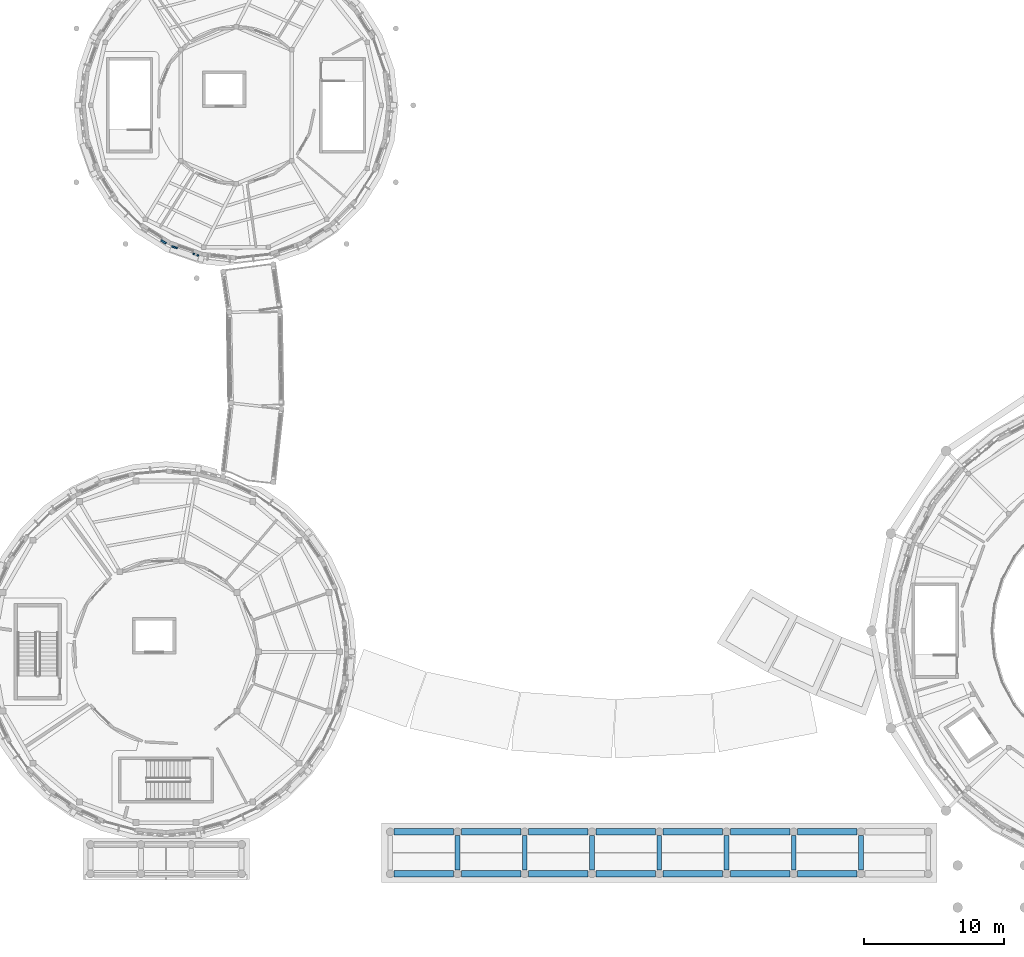
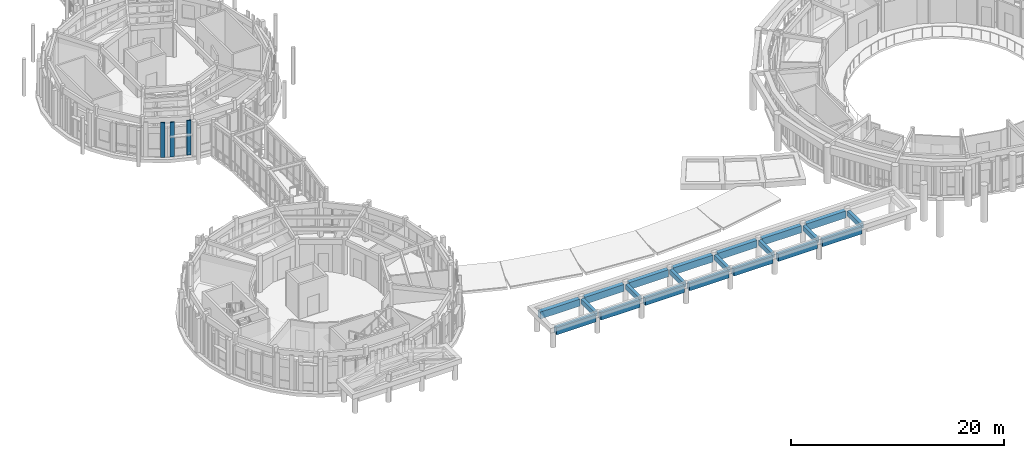
# One storey, part 8 of 80: 21 beams, 3 members.
"""IFC4 building model written with IfcOpenShell, lengths in metres."""

from ifc_helpers import new_model, si_unit, direction, frame, origin, origin_2d, place, context, subcontext, project, spatial, rectangle, extrude, material, material_profile, profile_set, type_object, element, save


model = new_model("IFC4")

# Units and contexts
model_context = context("Model", 3, precision=1e-05, world=origin(), true_north=direction((0.0, 1.0)))
body_context = subcontext(model_context, "Body", "Model", "MODEL_VIEW")
ifc_project = project(units=[si_unit("LENGTHUNIT", "METRE"), si_unit("AREAUNIT", "SQUARE_METRE"), si_unit("VOLUMEUNIT", "CUBIC_METRE"), si_unit("PLANEANGLEUNIT", "RADIAN"), si_unit("MASSUNIT", "GRAM", prefix="KILO")], contexts=[model_context])

# Site, building, storey
site_placement = place(None, origin())
site = spatial("IfcSite", under=ifc_project, at=site_placement, CompositionType="ELEMENT")
building_placement = place(site_placement, origin())
building = spatial("IfcBuilding", under=site, at=building_placement, Name="Aldenvaro Health Centre", CompositionType="ELEMENT")
storey_placement = place(building_placement, frame((0.0, 0.0, 4.550048828125)))
storey = spatial("IfcBuildingStorey", under=building, at=storey_placement, Name="L01", CompositionType="ELEMENT", Elevation=4.550048828125)

# Beams
ifc_material_1 = material(Name="Concrete f'c 40 MPa", Category="concrete")
ifc_material_profile_1 = material_profile(ifc_material_1, rectangle(XDim=0.35009765625, YDim=0.56005859375, at=origin_2d()), Name="RC 350x560", Category="concrete")
ifc_profile_set_1 = profile_set([ifc_material_profile_1], Name="Concrete f'c 40 MPa")
beam_type_1 = type_object("IfcBeamType", Name="BM-RC-560E", PredefinedType="JOIST", material=ifc_profile_set_1)
for number, where, z_axis, x_axis, name in (
    (1, (39.300048828125, 2.925048828125, 1.869873046875), (0.0, 1.0, 0.0), (-1.0, 0.0, 0.0), "South Stoa W Transverse Beam L01-2"),
    (2, (44.10009765625, 2.925048828125, 1.869873046875), (0.0, 1.0, 0.0), (-1.0, 0.0, 0.0), "South Stoa W Transverse Beam L01-3"),
    (3, (48.89990234375, 2.925048828125, 1.869873046875), (0.0, 1.0, 0.0), (-1.0, 0.0, 0.0), "South Stoa W Transverse Beam L01-4"),
    (4, (53.699951171875, 2.925048828125, 1.869873046875), (0.0, 1.0, 0.0), (-1.0, 0.0, 0.0), "South Stoa W Transverse Beam L01-5"),
    (5, (58.5, 2.925048828125, 1.869873046875), (0.0, 1.0, 0.0), (-1.0, 0.0, 0.0), "South Stoa W Transverse Beam L01-6"),
    (6, (63.300048828125, 2.925048828125, 1.869873046875), (0.0, 1.0, 0.0), (-1.0, 0.0, 0.0), "South Stoa W Transverse Beam L01-7"),
    (7, (68.10009765625, 2.925048828125, 1.869873046875), (0.0, 1.0, 0.0), (-1.0, 0.0, 0.0), "South Stoa W Transverse Beam L01-8"),
):
    element("IfcBeam", number, at=place(storey_placement, frame(where, z_axis=z_axis, x_axis=x_axis)), inside=storey, type_object=beam_type_1, Name=name, PredefinedType="JOIST", context=body_context, shape_type="SweptSolid", body=[
        extrude(rectangle(XDim=0.35009765625, YDim=0.56005859375, at=origin_2d()), origin(), (0.0, 0.0, 1.0), 2.449951171875),
    ])
ifc_material_profile_2 = material_profile(ifc_material_1, rectangle(XDim=0.449951171875, YDim=0.800048828125, at=origin_2d()), Name="RC 450x800", Category="concrete")
ifc_profile_set_2 = profile_set([ifc_material_profile_2], Name="Concrete f'c 40 MPa")
beam_type_2 = type_object("IfcBeamType", Name="BM-RC-800", PredefinedType="SPANDREL", material=ifc_profile_set_2)
for number, where, z_axis, x_axis, name in (
    (8, (34.77490234375, 2.64990234375, 1.75), (1.0, 0.0, 0.0), (0.0, 1.0, 0.0), "South Stoa W Classical Architrave L01-1.1"),
    (9, (34.77490234375, 5.64990234375, 1.75), (1.0, 0.0, 0.0), (0.0, 1.0, 0.0), "South Stoa W Classical Architrave L01-1.2"),
    (10, (39.574951171875, 2.64990234375, 1.75), (1.0, 0.0, 0.0), (0.0, 1.0, 0.0), "South Stoa W Classical Architrave L01-2.1"),
    (11, (39.574951171875, 5.64990234375, 1.75), (1.0, 0.0, 0.0), (0.0, 1.0, 0.0), "South Stoa W Classical Architrave L01-2.2"),
    (12, (44.375, 2.64990234375, 1.75), (1.0, 0.0, 0.0), (0.0, 1.0, 0.0), "South Stoa W Classical Architrave L01-3.1"),
    (13, (44.375, 5.64990234375, 1.75), (1.0, 0.0, 0.0), (0.0, 1.0, 0.0), "South Stoa W Classical Architrave L01-3.2"),
    (14, (49.175048828125, 2.64990234375, 1.75), (1.0, 0.0, 0.0), (0.0, 1.0, 0.0), "South Stoa W Classical Architrave L01-4.1"),
    (15, (49.175048828125, 5.64990234375, 1.75), (1.0, 0.0, 0.0), (0.0, 1.0, 0.0), "South Stoa W Classical Architrave L01-4.2"),
    (16, (53.97509765625, 2.64990234375, 1.75), (1.0, 0.0, 0.0), (0.0, 1.0, 0.0), "South Stoa W Classical Architrave L01-5.1"),
    (17, (53.97509765625, 5.64990234375, 1.75), (1.0, 0.0, 0.0), (0.0, 1.0, 0.0), "South Stoa W Classical Architrave L01-5.2"),
    (18, (58.77490234375, 2.64990234375, 1.75), (1.0, 0.0, 0.0), (0.0, 1.0, 0.0), "South Stoa W Classical Architrave L01-6.1"),
    (19, (58.77490234375, 5.64990234375, 1.75), (1.0, 0.0, 0.0), (0.0, 1.0, 0.0), "South Stoa W Classical Architrave L01-6.2"),
    (20, (63.574951171875, 2.64990234375, 1.75), (1.0, 0.0, 0.0), (0.0, 1.0, 0.0), "South Stoa W Classical Architrave L01-7.1"),
    (21, (63.574951171875, 5.64990234375, 1.75), (1.0, 0.0, 0.0), (0.0, 1.0, 0.0), "South Stoa W Classical Architrave L01-7.2"),
):
    element("IfcBeam", number, at=place(storey_placement, frame(where, z_axis=z_axis, x_axis=x_axis)), inside=storey, type_object=beam_type_2, Name=name, PredefinedType="SPANDREL", context=body_context, shape_type="SweptSolid", body=[
        extrude(rectangle(XDim=0.449951171875, YDim=0.800048828125, at=origin_2d()), origin(), (0.0, 0.0, 1.0), 4.25),
    ])

# Members
ifc_material_2 = material(Name="Glulam GL28h", Category="wood")
ifc_material_profile_3 = material_profile(ifc_material_2, rectangle(XDim=0.114990234375, YDim=0.419921875, at=origin_2d()), Name="GL 115x420", Category="wood")
ifc_profile_set_3 = profile_set([ifc_material_profile_3], Name="Glulam GL28h")
member_type_1 = type_object("IfcMemberType", Name="MEM-SLT-420A", PredefinedType="POST", material=ifc_profile_set_3)
for number, where, z_axis, x_axis, name in (
    (22, (20.62109375, 46.846923828125, 0.0), (0.0, 0.0, 1.0), (-0.330204431323, -0.943909441385, 0.0), "D3 L01 vertical timber slat 9.1"),
    (23, (19.110107421875, 47.375, 0.0), (0.0, 0.0, 1.0), (-0.330204431323, -0.943909441385, 0.0), "D3 L01 vertical timber slat 9.3"),
):
    element("IfcMember", number, at=place(storey_placement, frame(where, z_axis=z_axis, x_axis=x_axis)), inside=storey, type_object=member_type_1, Name=name, PredefinedType="POST", context=body_context, shape_type="SweptSolid", body=[
        extrude(rectangle(XDim=0.114990234375, YDim=0.419921875, at=origin_2d()), origin(), (0.0, 0.0, 1.0), 3.9599609375),
    ])
ifc_material_profile_4 = material_profile(ifc_material_2, rectangle(XDim=0.1298828125, YDim=0.419921875, at=origin_2d()), Name="GL 130x420", Category="wood")
ifc_profile_set_4 = profile_set([ifc_material_profile_4], Name="Glulam GL28h")
member_type_2 = type_object("IfcMemberType", Name="MEM-SLT-420B", PredefinedType="POST", material=ifc_profile_set_4)
member_placement = place(storey_placement, frame((18.322021484375, 47.75390625, 0.0), z_axis=(0.0, 0.0, 1.0), x_axis=(-0.532096042675, -0.846684003256, 0.0)))
element("IfcMember", 24, at=member_placement, inside=storey, type_object=member_type_2, Name="D3 L01 vertical timber slat 10.1", PredefinedType="POST", context=body_context, shape_type="SweptSolid", body=[
    extrude(rectangle(XDim=0.1298828125, YDim=0.419921875, at=origin_2d()), origin(), (0.0, 0.0, 1.0), 3.9599609375),
])

save(model, "model.ifc")
